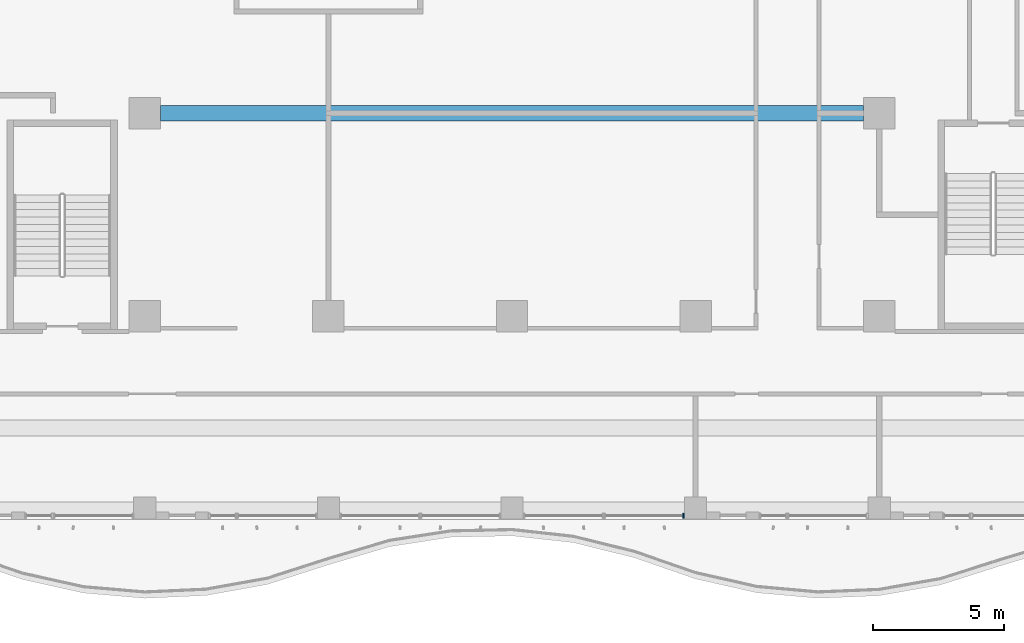
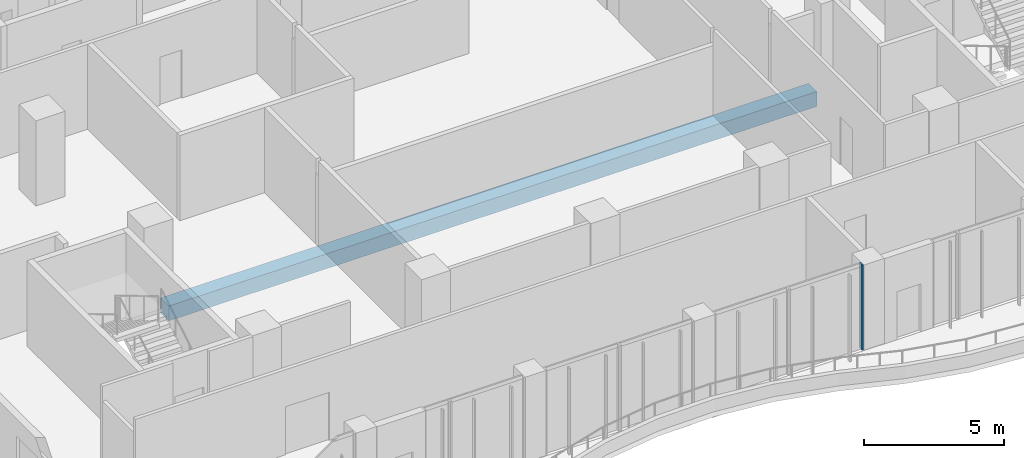
# One storey, part 4 of 26: 1 beam, 1 member, 1 element without a shape of its own.
"""IFC4 building model written with IfcOpenShell, lengths in metres."""

from ifc_helpers import new_model, si_unit, direction, frame, origin, origin_2d, place, context, subcontext, project, spatial, rectangle, extrude, source, transform, mapped, material, material_profile, profile_set, type_object, element, aggregate, save


model = new_model("IFC4")

# Units and contexts
model_context = context("Model", 3, precision=1e-05, world=origin(), true_north=direction((0.0, 1.0)))
body_context = subcontext(model_context, "Body", "Model", "MODEL_VIEW")
ifc_project = project(units=[si_unit("LENGTHUNIT", "METRE"), si_unit("AREAUNIT", "SQUARE_METRE"), si_unit("VOLUMEUNIT", "CUBIC_METRE"), si_unit("PLANEANGLEUNIT", "RADIAN"), si_unit("MASSUNIT", "GRAM", prefix="KILO")], contexts=[model_context])

# Site, building, storey
site_placement = place(None, origin())
site = spatial("IfcSite", under=ifc_project, at=site_placement, CompositionType="ELEMENT")
building_placement = place(site_placement, origin())
building = spatial("IfcBuilding", under=site, at=building_placement, Name="Kilnfold Tower and Market Hall", CompositionType="ELEMENT")
storey_placement = place(building_placement, frame((0.0, 0.0, 104.60009765625)))
storey = spatial("IfcBuildingStorey", under=building, at=storey_placement, Name="L24", CompositionType="ELEMENT", Elevation=104.60009765625)

# Beam
ifc_material_1 = material(Name="Concrete C45", Category="concrete")
ifc_material_profile_1 = material_profile(ifc_material_1, rectangle(XDim=0.60009765625, YDim=0.64990234375, at=origin_2d()), Name="RC 600x650")
ifc_profile_set_1 = profile_set([ifc_material_profile_1], Name="Concrete C45")
beam_type = type_object("IfcBeamType", Name="BEAM 600X650 C45", PredefinedType="BEAM", material=ifc_profile_set_1)
shared_shape_1 = source(origin(), body_context, "Body", "SweptSolid", [
    extrude(rectangle(XDim=0.60009765625, YDim=0.64990234375, at=origin_2d()), origin(), (0.0, 0.0, 1.0), 26.7998046875),
])
beam_placement = place(storey_placement, frame((-11.89990234375, -7.5, -0.60498046875), z_axis=(1.0, 0.0, 0.0), x_axis=(0.0, 1.0, 0.0)))
element("IfcBeam", 1, at=beam_placement, inside=storey, type_object=beam_type, Name="Beam BB650-B3.60", PredefinedType="BEAM", context=body_context, shape_type="MappedRepresentation", body=[
    mapped(shared_shape_1, transform((0.0, 0.0, 0.0))),
])

# Curtain wall, member
ifc_material_2 = material(Name="Aluminium and double glazing", Category="aluminium")
curtain_wall_type = type_object("IfcCurtainWallType", Name="CW OF2 VALLEY GLAZING", PredefinedType="NOTDEFINED", material=ifc_material_2)
curtain_wall_placement = place(storey_placement, origin())
curtain_wall = element("IfcCurtainWall", 2, at=curtain_wall_placement, inside=storey, type_object=curtain_wall_type, Name="Curtain wall CW2 L24 S", PredefinedType="NOTDEFINED")
ifc_material_3 = material(Name="Aluminium", Category="aluminium")
ifc_material_profile_2 = material_profile(ifc_material_3, rectangle(XDim=0.06005859375, YDim=0.199951171875, at=origin_2d()), Name="MULLION 60x200")
ifc_profile_set_2 = profile_set([ifc_material_profile_2], Name="Aluminium")
member_type = type_object("IfcMemberType", Name="MULLION 60X200", PredefinedType="MULLION", material=ifc_profile_set_2)
shared_shape_2 = source(origin(), body_context, "Body", "SweptSolid", [
    extrude(rectangle(XDim=0.06005859375, YDim=0.199951171875, at=origin_2d()), origin(), (0.0, 0.0, 1.0), 3.719970703125),
])
member_placement = place(storey_placement, frame((8.044921875, -22.85009765625, 0.0), z_axis=(0.0, 0.0, 1.0), x_axis=(1.0, 0.0, 0.0)))
member = element("IfcMember", 3, at=member_placement, type_object=member_type, Name="CW2 mullion 2", PredefinedType="MULLION", context=body_context, shape_type="MappedRepresentation", body=[
    mapped(shared_shape_2, transform((0.0, 0.0, 0.0))),
])
aggregate(curtain_wall, [member])

save(model, "model.ifc")
